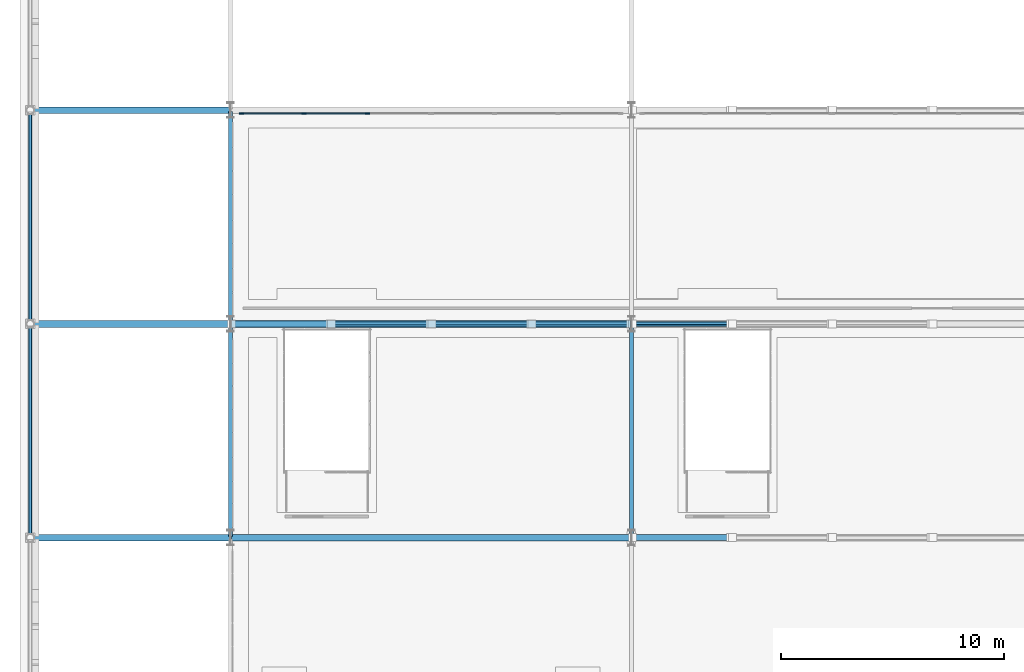
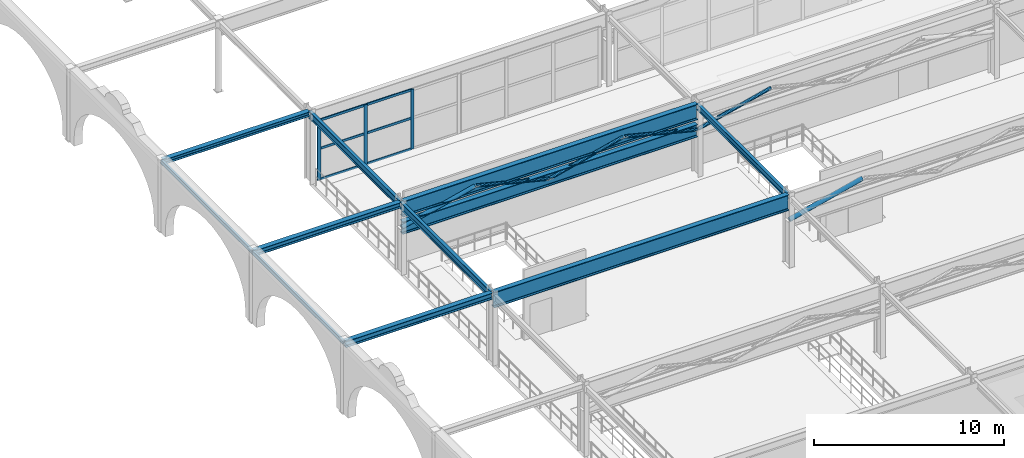
# One storey, part 41 of 125: 16 members, 10 beams, 1 element without a shape of its own.
"""IFC4 building model written with IfcOpenShell, lengths in metres."""

from ifc_helpers import new_model, si_unit, direction, frame, origin, origin_2d, place, context, subcontext, project, spatial, rectangle, hollow_rectangle, hollow_circle, i_section, extrude, material, layer, layer_set, material_profile, profile_set, type_object, element, aggregate, save


model = new_model("IFC4")

# Units and contexts
model_context = context("Model", 3, precision=1e-05, world=origin(), true_north=direction((0.0, 1.0)))
body_context = subcontext(model_context, "Body", "Model", "MODEL_VIEW")
ifc_project = project(units=[si_unit("LENGTHUNIT", "METRE"), si_unit("AREAUNIT", "SQUARE_METRE"), si_unit("VOLUMEUNIT", "CUBIC_METRE"), si_unit("PLANEANGLEUNIT", "RADIAN"), si_unit("MASSUNIT", "GRAM", prefix="KILO")], contexts=[model_context])

# Site, building, storey
site_placement = place(None, origin())
site = spatial("IfcSite", under=ifc_project, at=site_placement, CompositionType="ELEMENT")
building_placement = place(site_placement, origin())
building = spatial("IfcBuilding", under=site, at=building_placement, Name="Myrtia Square Station", CompositionType="ELEMENT")
storey_placement = place(building_placement, frame((0.0, 0.0, 6.0)))
storey = spatial("IfcBuildingStorey", under=building, at=storey_placement, Name="L01", CompositionType="ELEMENT", Elevation=6.0)

# Beams
ifc_material_1 = material(Name="Steel S355", Category="steel")
ifc_material_profile_1 = material_profile(ifc_material_1, i_section(OverallWidth=0.300048828125, OverallDepth=0.300048828125, WebThickness=0.010986328125, FlangeThickness=0.01904296875, FilletRadius=0.027099609375, at=origin_2d()), Name="HEB 300")
ifc_profile_set_1 = profile_set([ifc_material_profile_1], Name="Steel S355")
beam_type_1 = type_object("IfcBeamType", Name="BM-HEB300", PredefinedType="BEAM", material=ifc_profile_set_1)
beam_1_placement = place(storey_placement, frame((0.050048828125, 86.39990234375, 4.405029296875), z_axis=(1.0, 0.0, 0.0), x_axis=(0.0, 1.0, 0.0)))
element("IfcBeam", 1, at=beam_1_placement, inside=storey, type_object=beam_type_1, Name="Structural girder BMX-L01-0476", PredefinedType="BEAM", context=body_context, shape_type="SweptSolid", body=[
    extrude(i_section(OverallWidth=0.300048828125, OverallDepth=0.300048828125, WebThickness=0.010986328125, FlangeThickness=0.01904296875, FilletRadius=0.027099609375, at=origin_2d()), origin(), (0.0, 0.0, 1.0), 8.89990234375),
])
ifc_material_profile_2 = material_profile(ifc_material_1, i_section(OverallWidth=0.300048828125, OverallDepth=0.360107421875, WebThickness=0.012451171875, FlangeThickness=0.0224609375, FilletRadius=0.027099609375, at=origin_2d()), Name="HEB 360")
ifc_profile_set_2 = profile_set([ifc_material_profile_2], Name="Steel S355")
beam_type_2 = type_object("IfcBeamType", Name="BM-HEB360", PredefinedType="BEAM", material=ifc_profile_set_2)
beam_2_placement = place(storey_placement, frame((0.050048828125, 76.800048828125, 4.375), z_axis=(1.0, 0.0, 0.0), x_axis=(0.0, 1.0, 0.0)))
element("IfcBeam", 2, at=beam_2_placement, inside=storey, type_object=beam_type_2, Name="Structural girder BMX-L01-0474", PredefinedType="BEAM", context=body_context, shape_type="SweptSolid", body=[
    extrude(i_section(OverallWidth=0.300048828125, OverallDepth=0.360107421875, WebThickness=0.012451171875, FlangeThickness=0.0224609375, FilletRadius=0.027099609375, at=origin_2d()), origin(), (0.0, 0.0, 1.0), 8.89990234375),
])
ifc_material_profile_3 = material_profile(ifc_material_1, i_section(OverallWidth=0.300048828125, OverallDepth=0.39990234375, WebThickness=0.013427734375, FlangeThickness=0.02392578125, FilletRadius=0.027099609375, at=origin_2d()), Name="HEB 400")
ifc_profile_set_3 = profile_set([ifc_material_profile_3], Name="Steel S355")
beam_type_3 = type_object("IfcBeamType", Name="BM-HEB400", PredefinedType="BEAM", material=ifc_profile_set_3)
beam_3_placement = place(storey_placement, frame((0.050048828125, 67.199951171875, 4.35498046875), z_axis=(1.0, 0.0, 0.0), x_axis=(0.0, 1.0, 0.0)))
element("IfcBeam", 3, at=beam_3_placement, inside=storey, type_object=beam_type_3, Name="Structural girder BMX-L01-0472", PredefinedType="BEAM", context=body_context, shape_type="SweptSolid", body=[
    extrude(i_section(OverallWidth=0.300048828125, OverallDepth=0.39990234375, WebThickness=0.013427734375, FlangeThickness=0.02392578125, FilletRadius=0.027099609375, at=origin_2d()), origin(), (0.0, 0.0, 1.0), 8.89990234375),
])
ifc_material_profile_4 = material_profile(ifc_material_1, i_section(OverallWidth=0.179931640625, OverallDepth=0.39990234375, WebThickness=0.008544921875, FlangeThickness=0.013427734375, FilletRadius=0.02099609375, at=origin_2d()), Name="IPE 400")
ifc_profile_set_4 = profile_set([ifc_material_profile_4], Name="Steel S355")
beam_type_4 = type_object("IfcBeamType", Name="BM-IPE400", PredefinedType="BEAM", material=ifc_profile_set_4)
beam_4_placement = place(storey_placement, frame((27.0, 67.25, 4.35498046875), z_axis=(0.0, 1.0, 0.0), x_axis=(-1.0, 0.0, 0.0)))
element("IfcBeam", 4, at=beam_4_placement, inside=storey, type_object=beam_type_4, Name="Structural girder BMY-L01-0502", PredefinedType="BEAM", context=body_context, shape_type="SweptSolid", body=[
    extrude(i_section(OverallWidth=0.179931640625, OverallDepth=0.39990234375, WebThickness=0.008544921875, FlangeThickness=0.013427734375, FilletRadius=0.02099609375, at=origin_2d()), origin(), (0.0, 0.0, 1.0), 9.5),
])
ifc_material_profile_5 = material_profile(ifc_material_1, i_section(OverallWidth=0.18994140625, OverallDepth=0.449951171875, WebThickness=0.009521484375, FlangeThickness=0.0146484375, FilletRadius=0.02099609375, at=origin_2d()), Name="IPE 450")
ifc_profile_set_5 = profile_set([ifc_material_profile_5], Name="Steel S355")
beam_type_5 = type_object("IfcBeamType", Name="BM-IPE450", PredefinedType="BEAM", material=ifc_profile_set_5)
for number, where, z_axis, x_axis, name in (
    (5, (9.0, 67.25, 4.330078125), (0.0, 1.0, 0.0), (-1.0, 0.0, 0.0), "Structural girder BMY-L01-0490"),
    (6, (9.0, 76.85009765625, 4.330078125), (0.0, 1.0, 0.0), (-1.0, 0.0, 0.0), "Structural girder BMY-L01-0491"),
):
    element("IfcBeam", number, at=place(storey_placement, frame(where, z_axis=z_axis, x_axis=x_axis)), inside=storey, type_object=beam_type_5, Name=name, PredefinedType="BEAM", context=body_context, shape_type="SweptSolid", body=[
        extrude(i_section(OverallWidth=0.18994140625, OverallDepth=0.449951171875, WebThickness=0.009521484375, FlangeThickness=0.0146484375, FilletRadius=0.02099609375, at=origin_2d()), origin(), (0.0, 0.0, 1.0), 9.5),
    ])

# Members
ifc_material_profile_6 = material_profile(ifc_material_1, hollow_circle(Radius=0.109619140625, WallThickness=0.012451171875, at=origin_2d()), Name="CHS 219.1x12.5")
ifc_profile_set_6 = profile_set([ifc_material_profile_6], Name="Steel S355")
member_type_1 = type_object("IfcMemberType", Name="BRC-CHS219", PredefinedType="BRACE", material=ifc_profile_set_6)
for number, where, z_axis, x_axis, name in (
    (7, (13.5400390625, 76.800048828125, 3.949951171875), (0.97040677758, 0.0, -0.241476056838), (0.0, 1.0, 0.0), "Warren roof truss 05 diagonal 2"),
    (8, (18.0400390625, 76.800048828125, 2.85009765625), (0.97040677758, 0.0, 0.241476056838), (0.0, 1.0, 0.0), "Warren roof truss 05 diagonal 3"),
    (9, (22.5400390625, 76.800048828125, 3.949951171875), (0.97040677758, 0.0, -0.241476056838), (0.0, 1.0, 0.0), "Warren roof truss 05 diagonal 4"),
    (10, (27.0400390625, 76.800048828125, 2.85009765625), (0.97040677758, 0.0, 0.241476056838), (0.0, 1.0, 0.0), "Warren roof truss 05 diagonal 5"),
):
    element("IfcMember", number, at=place(storey_placement, frame(where, z_axis=z_axis, x_axis=x_axis)), inside=storey, type_object=member_type_1, Name=name, PredefinedType="BRACE", context=body_context, shape_type="SweptSolid", body=[
        extrude(hollow_circle(Radius=0.109619140625, WallThickness=0.012451171875, at=origin_2d()), origin(), (0.0, 0.0, 1.0), 4.5546875),
    ])
ifc_material_profile_7 = material_profile(ifc_material_1, hollow_circle(Radius=0.136474609375, WallThickness=0.01611328125, at=origin_2d()), Name="CHS 273x16")
ifc_profile_set_7 = profile_set([ifc_material_profile_7], Name="Steel S355")
member_type_2 = type_object("IfcMemberType", Name="BRC-CHS273", PredefinedType="BRACE", material=ifc_profile_set_7)
for number, where, z_axis, x_axis, name in (
    (11, (27.0400390625, 67.199951171875, 2.85009765625), (0.97040677758, 0.0, 0.241476056838), (0.0, 1.0, 0.0), "Warren roof truss 04 diagonal 1"),
    (12, (9.0400390625, 76.800048828125, 2.85009765625), (0.97040677758, 0.0, 0.241476056838), (0.0, 1.0, 0.0), "Warren roof truss 05 diagonal 1"),
):
    element("IfcMember", number, at=place(storey_placement, frame(where, z_axis=z_axis, x_axis=x_axis)), inside=storey, type_object=member_type_2, Name=name, PredefinedType="BRACE", context=body_context, shape_type="SweptSolid", body=[
        extrude(hollow_circle(Radius=0.136474609375, WallThickness=0.01611328125, at=origin_2d()), origin(), (0.0, 0.0, 1.0), 4.5546875),
    ])
ifc_material_profile_8 = material_profile(ifc_material_1, i_section(OverallWidth=0.300048828125, OverallDepth=0.800048828125, WebThickness=0.017578125, FlangeThickness=0.032958984375, FilletRadius=0.030029296875, at=origin_2d()), Name="HEB 800")
ifc_profile_set_8 = profile_set([ifc_material_profile_8], Name="Steel S355")
member_type_3 = type_object("IfcMemberType", Name="CHD-HEB800", PredefinedType="CHORD", material=ifc_profile_set_8)
member_1_placement = place(storey_placement, frame((9.050048828125, 76.800048828125, 2.85009765625), z_axis=(1.0, 0.0, 0.0), x_axis=(0.0, 1.0, 0.0)))
element("IfcMember", 13, at=member_1_placement, inside=storey, type_object=member_type_3, Name="Warren roof truss 05 bottom chord 1", PredefinedType="CHORD", context=body_context, shape_type="SweptSolid", body=[
    extrude(i_section(OverallWidth=0.300048828125, OverallDepth=0.800048828125, WebThickness=0.017578125, FlangeThickness=0.032958984375, FilletRadius=0.030029296875, at=origin_2d()), origin(), (0.0, 0.0, 1.0), 17.89990234375),
])

# Curtain wall, members
ifc_material_2 = material(Name="Dark bronze anodised aluminium", Category="aluminium")
ifc_layer = layer(ifc_material_2, 0.159912109375, Name="Dark bronze anodised aluminium")
ifc_layer_set = layer_set([ifc_layer], Name="Dark bronze anodised aluminium")
curtain_wall_type = type_object("IfcCurtainWallType", Name="CW-TYPE-19-855x385", PredefinedType="USERDEFINED", material=ifc_layer_set)
curtain_wall_placement = place(storey_placement, origin())
curtain_wall = element("IfcCurtainWall", 14, at=curtain_wall_placement, inside=storey, type_object=curtain_wall_type, Name="Concourse curtain wall CW-L01-060", ObjectType="CONCOURSE CURTAIN WALL", PredefinedType="USERDEFINED")
ifc_material_profile_9 = material_profile(ifc_material_2, rectangle(XDim=0.06494140625, YDim=0.199951171875, at=origin_2d()), Name="ALU-M 65x200")
ifc_profile_set_9 = profile_set([ifc_material_profile_9], Name="Dark bronze anodised aluminium")
member_type_4 = type_object("IfcMemberType", Name="CWM-65x200", PredefinedType="MULLION", material=ifc_profile_set_9)
member_2_placement = place(storey_placement, frame((9.482421875, 86.25, 0.0), z_axis=(0.0, 0.0, 1.0), x_axis=(0.0, 1.0, 0.0)))
member_2 = element("IfcMember", 15, at=member_2_placement, type_object=member_type_4, Name="CW-060 mullion 1", PredefinedType="MULLION", context=body_context, shape_type="SweptSolid", body=[
    extrude(rectangle(XDim=0.06494140625, YDim=0.199951171875, at=origin_2d()), origin(), (0.0, 0.0, 1.0), 3.85009765625),
])
member_3_placement = place(storey_placement, frame((12.300048828125, 86.25, 0.0), z_axis=(0.0, 0.0, 1.0), x_axis=(0.0, 1.0, 0.0)))
member_3 = element("IfcMember", 16, at=member_3_placement, type_object=member_type_4, Name="CW-060 mullion 2", PredefinedType="MULLION", context=body_context, shape_type="SweptSolid", body=[
    extrude(rectangle(XDim=0.06494140625, YDim=0.199951171875, at=origin_2d()), origin(), (0.0, 0.0, 1.0), 3.85009765625),
])
member_4_placement = place(storey_placement, frame((15.14990234375, 86.25, 0.0), z_axis=(0.0, 0.0, 1.0), x_axis=(0.0, 1.0, 0.0)))
member_4 = element("IfcMember", 17, at=member_4_placement, type_object=member_type_4, Name="CW-060 mullion 3", PredefinedType="MULLION", context=body_context, shape_type="SweptSolid", body=[
    extrude(rectangle(XDim=0.06494140625, YDim=0.199951171875, at=origin_2d()), origin(), (0.0, 0.0, 1.0), 3.85009765625),
])
ifc_material_profile_10 = material_profile(ifc_material_2, rectangle(XDim=0.06494140625, YDim=0.14990234375, at=origin_2d()), Name="ALU-T 65x150")
ifc_profile_set_10 = profile_set([ifc_material_profile_10], Name="Dark bronze anodised aluminium")
member_type_5 = type_object("IfcMemberType", Name="CWT-65x150", PredefinedType="USERDEFINED", material=ifc_profile_set_10)
member_5_placement = place(storey_placement, frame((9.514892578125, 86.25, 0.032470703125), z_axis=(1.0, 0.0, 0.0), x_axis=(0.0, 1.0, 0.0)))
member_5 = element("IfcMember", 18, at=member_5_placement, type_object=member_type_5, Name="CW-060 transom 1.1", ObjectType="TRANSOM", PredefinedType="USERDEFINED", context=body_context, shape_type="SweptSolid", body=[
    extrude(rectangle(XDim=0.06494140625, YDim=0.14990234375, at=origin_2d()), origin(), (0.0, 0.0, 1.0), 2.752685546875),
])
member_6_placement = place(storey_placement, frame((9.514892578125, 86.25, 2.001953125), z_axis=(1.0, 0.0, 0.0), x_axis=(0.0, 1.0, 0.0)))
member_6 = element("IfcMember", 19, at=member_6_placement, type_object=member_type_5, Name="CW-060 transom 1.2", ObjectType="TRANSOM", PredefinedType="USERDEFINED", context=body_context, shape_type="SweptSolid", body=[
    extrude(rectangle(XDim=0.06494140625, YDim=0.14990234375, at=origin_2d()), origin(), (0.0, 0.0, 1.0), 2.752685546875),
])
member_7_placement = place(storey_placement, frame((9.514892578125, 86.25, 3.8173828125), z_axis=(1.0, 0.0, 0.0), x_axis=(0.0, 1.0, 0.0)))
member_7 = element("IfcMember", 20, at=member_7_placement, type_object=member_type_5, Name="CW-060 transom 1.3", ObjectType="TRANSOM", PredefinedType="USERDEFINED", context=body_context, shape_type="SweptSolid", body=[
    extrude(rectangle(XDim=0.06494140625, YDim=0.14990234375, at=origin_2d()), origin(), (0.0, 0.0, 1.0), 2.752685546875),
])
member_8_placement = place(storey_placement, frame((12.33251953125, 86.25, 0.032470703125), z_axis=(1.0, 0.0, 0.0), x_axis=(0.0, 1.0, 0.0)))
member_8 = element("IfcMember", 21, at=member_8_placement, type_object=member_type_5, Name="CW-060 transom 2.1", ObjectType="TRANSOM", PredefinedType="USERDEFINED", context=body_context, shape_type="SweptSolid", body=[
    extrude(rectangle(XDim=0.06494140625, YDim=0.14990234375, at=origin_2d()), origin(), (0.0, 0.0, 1.0), 2.784912109375),
])
member_9_placement = place(storey_placement, frame((12.33251953125, 86.25, 2.001953125), z_axis=(1.0, 0.0, 0.0), x_axis=(0.0, 1.0, 0.0)))
member_9 = element("IfcMember", 22, at=member_9_placement, type_object=member_type_5, Name="CW-060 transom 2.2", ObjectType="TRANSOM", PredefinedType="USERDEFINED", context=body_context, shape_type="SweptSolid", body=[
    extrude(rectangle(XDim=0.06494140625, YDim=0.14990234375, at=origin_2d()), origin(), (0.0, 0.0, 1.0), 2.784912109375),
])
member_10_placement = place(storey_placement, frame((12.33251953125, 86.25, 3.8173828125), z_axis=(1.0, 0.0, 0.0), x_axis=(0.0, 1.0, 0.0)))
member_10 = element("IfcMember", 23, at=member_10_placement, type_object=member_type_5, Name="CW-060 transom 2.3", ObjectType="TRANSOM", PredefinedType="USERDEFINED", context=body_context, shape_type="SweptSolid", body=[
    extrude(rectangle(XDim=0.06494140625, YDim=0.14990234375, at=origin_2d()), origin(), (0.0, 0.0, 1.0), 2.784912109375),
])
aggregate(curtain_wall, [member_2, member_3, member_4, member_5, member_6, member_7, member_8, member_9, member_10])

# Beams
ifc_material_profile_11 = material_profile(ifc_material_1, hollow_rectangle(XDim=0.14990234375, YDim=0.25, WallThickness=0.012451171875, InnerFilletRadius=0.012451171875, OuterFilletRadius=0.02490234375, at=origin_2d()), Name="RHS 250x150x12.5")
ifc_profile_set_11 = profile_set([ifc_material_profile_11], Name="Steel S355")
beam_type_6 = type_object("IfcBeamType", Name="SPN-RHS250", PredefinedType="SPANDREL", material=ifc_profile_set_11)
for number, where, z_axis, x_axis, name in (
    (24, (0.0, 67.25, 4.429931640625), (0.0, 1.0, 0.0), (-1.0, 0.0, 0.0), "Structural girder SPNY-L01-0146"),
    (25, (0.0, 76.85009765625, 4.429931640625), (0.0, 1.0, 0.0), (-1.0, 0.0, 0.0), "Structural girder SPNY-L01-0147"),
):
    element("IfcBeam", number, at=place(storey_placement, frame(where, z_axis=z_axis, x_axis=x_axis)), inside=storey, type_object=beam_type_6, Name=name, PredefinedType="SPANDREL", context=body_context, shape_type="SweptSolid", body=[
        extrude(hollow_rectangle(XDim=0.14990234375, YDim=0.25, WallThickness=0.012451171875, InnerFilletRadius=0.012451171875, OuterFilletRadius=0.02490234375, at=origin_2d()), origin(), (0.0, 0.0, 1.0), 9.5),
    ])
ifc_material_profile_12 = material_profile(ifc_material_1, i_section(OverallWidth=0.300048828125, OverallDepth=1.0, WebThickness=0.01904296875, FlangeThickness=0.035888671875, FilletRadius=0.030029296875, at=origin_2d()), Name="HEB 1000")
ifc_profile_set_12 = profile_set([ifc_material_profile_12], Name="Steel S355")
beam_type_7 = type_object("IfcBeamType", Name="TG-HEB1000", PredefinedType="USERDEFINED", material=ifc_profile_set_12)
for number, where, z_axis, x_axis, name in (
    (26, (9.050048828125, 67.199951171875, 4.054931640625), (1.0, 0.0, 0.0), (0.0, 1.0, 0.0), "Structural girder TG-L01-0118"),
    (27, (9.050048828125, 76.800048828125, 4.054931640625), (1.0, 0.0, 0.0), (0.0, 1.0, 0.0), "Structural girder TG-L01-0121"),
):
    element("IfcBeam", number, at=place(storey_placement, frame(where, z_axis=z_axis, x_axis=x_axis)), inside=storey, type_object=beam_type_7, Name=name, ObjectType="TRANSFER GIRDER", PredefinedType="USERDEFINED", context=body_context, shape_type="SweptSolid", body=[
        extrude(i_section(OverallWidth=0.300048828125, OverallDepth=1.0, WebThickness=0.01904296875, FlangeThickness=0.035888671875, FilletRadius=0.030029296875, at=origin_2d()), origin(), (0.0, 0.0, 1.0), 17.89990234375),
    ])

save(model, "model.ifc")
